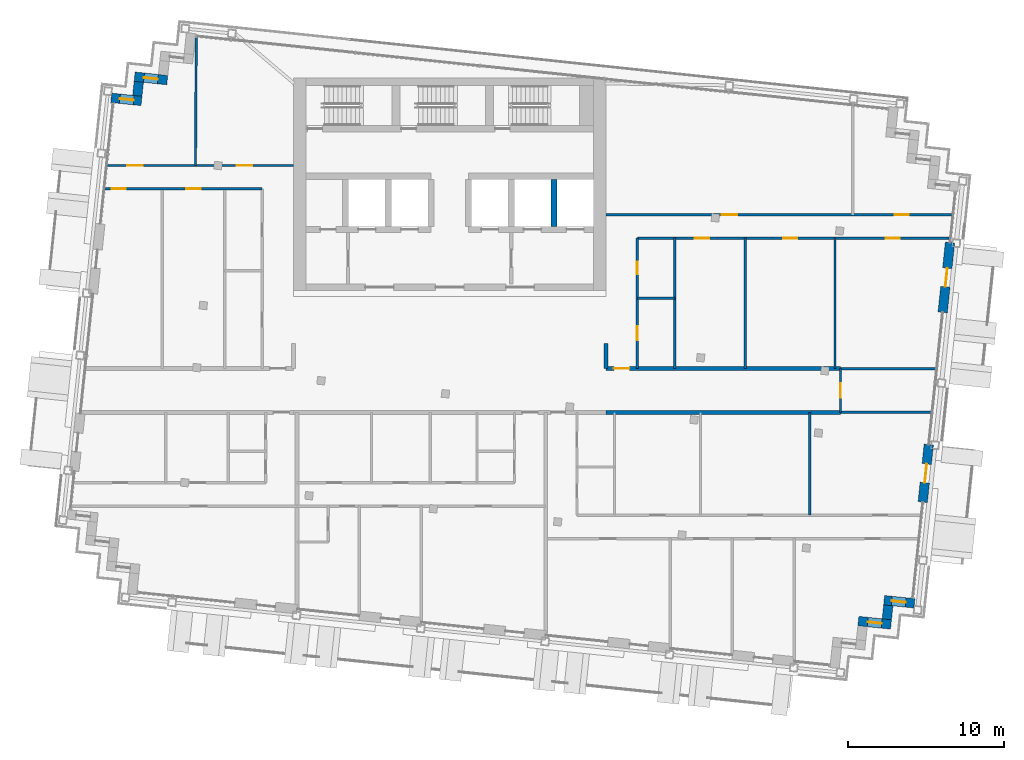
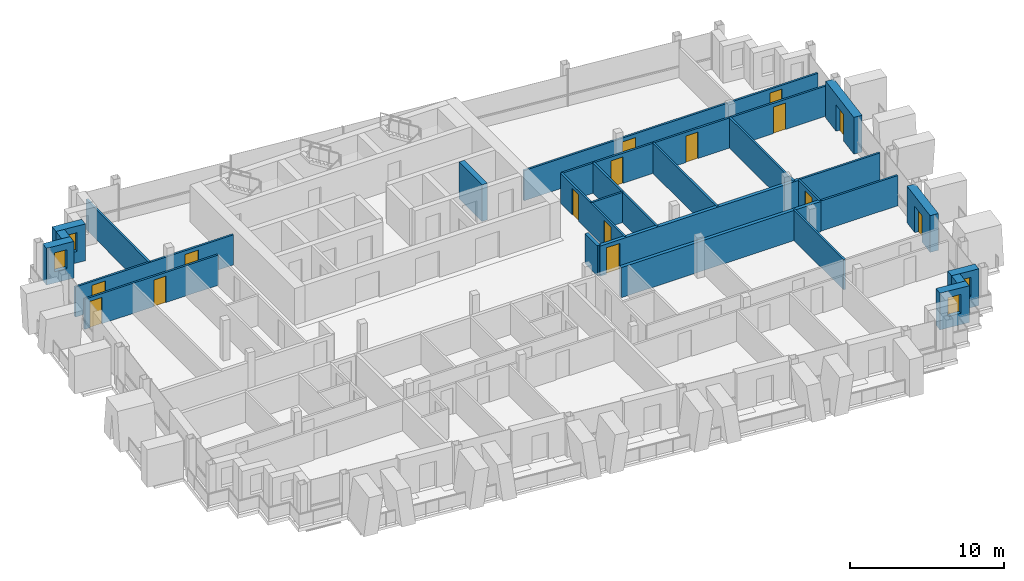
# One storey, part 11 of 16: 26 walls, 15 doors, 4 windows, 19 openings.
"""IFC4 building model written with IfcOpenShell, lengths in metres."""

from ifc_helpers import new_model, si_unit, direction, frame, frame_2d, origin, place, context, subcontext, project, spatial, rectangle, extrude, material, layer, layer_set, type_object, element, fill, save


model = new_model("IFC4")

# Units and contexts
model_context = context("Model", 3, precision=1e-05, world=origin(), true_north=direction((0.0, 1.0)))
body_context = subcontext(model_context, "Body", "Model", "MODEL_VIEW")
ifc_project = project(units=[si_unit("LENGTHUNIT", "METRE"), si_unit("AREAUNIT", "SQUARE_METRE"), si_unit("VOLUMEUNIT", "CUBIC_METRE"), si_unit("PLANEANGLEUNIT", "RADIAN"), si_unit("MASSUNIT", "GRAM", prefix="KILO")], contexts=[model_context])

# Site, building, storey
site_placement = place(None, origin())
site = spatial("IfcSite", under=ifc_project, at=site_placement, CompositionType="ELEMENT")
building_placement = place(site_placement, origin())
building = spatial("IfcBuilding", under=site, at=building_placement, Name="Vidyagriha Tower", CompositionType="ELEMENT")
storey_placement = place(building_placement, frame((0.0, 0.0, 275.5)))
storey = spatial("IfcBuildingStorey", under=building, at=storey_placement, Name="L72", CompositionType="ELEMENT", Elevation=275.5)

# Wall, opening, window
ifc_material_1 = material(Name="Precast concrete C40/50 with brick facing", Category="concrete")
ifc_layer_1 = layer(ifc_material_1, 0.60009765625)
ifc_layer_set_1 = layer_set([ifc_layer_1], Name="Precast concrete C40/50 with brick facing")
wall_type_1 = type_object("IfcWallType", Name="Brick-faced precast wall 600", PredefinedType="STANDARD", material=ifc_layer_set_1)
wall_1_placement = place(storey_placement, frame((-18.077392578125, 19.859130859375, 0.0), z_axis=(0.0, 0.0, 1.0), x_axis=(-0.994522640205, 0.104521376379, 0.0)))
wall_1 = element("IfcWall", 1, at=wall_1_placement, inside=storey, type_object=wall_type_1, Name="Stepped corner wall L72 R11", PredefinedType="STANDARD", context=body_context, shape_type="SweptSolid", body=[
    extrude(rectangle(XDim=2.099853515625, YDim=0.60009765625, at=frame_2d((1.0498046875, 0.0))), origin(), (0.0, 0.0, 1.0), 2.919921875),
])
opening_1_placement = place(wall_1_placement, frame((0.60009765625, 0.0, 0.89990234375)))
opening_1 = element("IfcOpeningElement", 2, at=opening_1_placement, cuts=wall_1, Name="Opening WN1", PredefinedType="OPENING", context=body_context, shape_type="SweptSolid", body=[
    extrude(rectangle(XDim=0.89990234375, YDim=1.5, at=frame_2d((0.449951171875, 0.75))), frame((0.0, 0.31005859375, 0.0), z_axis=(0.0, -1.0, 0.0), x_axis=(1.0, 0.0, 0.0)), (0.0, 0.0, 1.0), 0.6201171875),
])
ifc_material_2 = material(Name="Aluminium and glass window", Category="aluminium")
window_type = type_object("IfcWindowType", Name="Reveal window 900x1500", PartitioningType="NOTDEFINED", PredefinedType="WINDOW", material=ifc_material_2)
window_1_placement = place(opening_1_placement, origin())
window_1 = element("IfcWindow", 3, at=window_1_placement, inside=storey, type_object=window_type, Name="Reveal window L72 R11", OverallHeight=1.5, OverallWidth=0.89990234375, PartitioningType="SINGLE_PANEL", PredefinedType="WINDOW", context=body_context, shape_type="SweptSolid", body=[
    extrude(rectangle(XDim=0.89990234375, YDim=1.5, at=frame_2d((0.449951171875, 0.75))), frame((0.0, 0.030029296875, 0.0), z_axis=(0.0, -1.0, 0.0), x_axis=(1.0, 0.0, 0.0)), (0.0, 0.0, 1.0), 0.06005859375),
])
fill(opening_1, window_1)

# Wall
wall_2_placement = place(storey_placement, frame((-19.898681640625, 19.748779296875, 0.0), z_axis=(0.0, 0.0, 1.0), x_axis=(-0.104741284723, -0.994499503909, 0.0)))
element("IfcWall", 4, at=wall_2_placement, inside=storey, type_object=wall_type_1, Name="Stepped corner wall L72 R12", PredefinedType="STANDARD", context=body_context, shape_type="SweptSolid", body=[
    extrude(rectangle(XDim=0.899658203125, YDim=0.60009765625, at=frame_2d((0.44970703125, 0.0))), origin(), (0.0, 0.0, 1.0), 2.919921875),
])

# Wall, opening, window
wall_3_placement = place(storey_placement, frame((-19.725830078125, 18.5244140625, 0.0), z_axis=(0.0, 0.0, 1.0), x_axis=(-0.994534226826, 0.104411070641, 0.0)))
wall_3 = element("IfcWall", 5, at=wall_3_placement, inside=storey, type_object=wall_type_1, Name="Stepped corner wall L72 R13", PredefinedType="STANDARD", context=body_context, shape_type="SweptSolid", body=[
    extrude(rectangle(XDim=1.9501953125, YDim=0.60009765625, at=frame_2d((0.97509765625, 0.0))), origin(), (0.0, 0.0, 1.0), 2.919921875),
])
opening_2_placement = place(wall_3_placement, frame((0.489990234375, 0.0, 0.89990234375)))
opening_2 = element("IfcOpeningElement", 6, at=opening_2_placement, cuts=wall_3, Name="Opening WN1", PredefinedType="OPENING", context=body_context, shape_type="SweptSolid", body=[
    extrude(rectangle(XDim=0.89990234375, YDim=1.5, at=frame_2d((0.449951171875, 0.75))), frame((0.0, 0.31005859375, 0.0), z_axis=(0.0, -1.0, 0.0), x_axis=(1.0, 0.0, 0.0)), (0.0, 0.0, 1.0), 0.6201171875),
])
window_2_placement = place(opening_2_placement, origin())
window_2 = element("IfcWindow", 7, at=window_2_placement, inside=storey, type_object=window_type, Name="Reveal window L72 R13", OverallHeight=1.5, OverallWidth=0.89990234375, PartitioningType="SINGLE_PANEL", PredefinedType="WINDOW", context=body_context, shape_type="SweptSolid", body=[
    extrude(rectangle(XDim=0.89990234375, YDim=1.5, at=frame_2d((0.449951171875, 0.75))), frame((0.0, 0.030029296875, 0.0), z_axis=(0.0, -1.0, 0.0), x_axis=(1.0, 0.0, 0.0)), (0.0, 0.0, 1.0), 0.06005859375),
])
fill(opening_2, window_2)

wall_4_placement = place(storey_placement, frame((26.147216796875, -14.753173828125, 0.0), z_axis=(0.0, 0.0, 1.0), x_axis=(0.994522640205, -0.104521376379, 0.0)))
wall_4 = element("IfcWall", 8, at=wall_4_placement, inside=storey, type_object=wall_type_1, Name="Stepped corner wall L72 R25", PredefinedType="STANDARD", context=body_context, shape_type="SweptSolid", body=[
    extrude(rectangle(XDim=2.099853515625, YDim=0.60009765625, at=frame_2d((1.0498046875, 0.0))), origin(), (0.0, 0.0, 1.0), 2.919921875),
])
opening_3_placement = place(wall_4_placement, frame((0.599853515625, 0.0, 0.89990234375)))
opening_3 = element("IfcOpeningElement", 9, at=opening_3_placement, cuts=wall_4, Name="Opening WN1", PredefinedType="OPENING", context=body_context, shape_type="SweptSolid", body=[
    extrude(rectangle(XDim=0.89990234375, YDim=1.5, at=frame_2d((0.449951171875, 0.75))), frame((0.0, 0.31005859375, 0.0), z_axis=(0.0, -1.0, 0.0), x_axis=(1.0, 0.0, 0.0)), (0.0, 0.0, 1.0), 0.6201171875),
])
window_3_placement = place(opening_3_placement, origin())
window_3 = element("IfcWindow", 10, at=window_3_placement, inside=storey, type_object=window_type, Name="Reveal window L72 R25", OverallHeight=1.5, OverallWidth=0.89990234375, PartitioningType="SINGLE_PANEL", PredefinedType="WINDOW", context=body_context, shape_type="SweptSolid", body=[
    extrude(rectangle(XDim=0.89990234375, YDim=1.5, at=frame_2d((0.449951171875, 0.75))), frame((0.0, 0.030029296875, 0.0), z_axis=(0.0, -1.0, 0.0), x_axis=(1.0, 0.0, 0.0)), (0.0, 0.0, 1.0), 0.06005859375),
])
fill(opening_3, window_3)

# Wall
wall_5_placement = place(storey_placement, frame((27.968505859375, -14.64306640625, 0.0), z_axis=(0.0, 0.0, 1.0), x_axis=(0.104416541099, 0.994533652495, 0.0)))
element("IfcWall", 11, at=wall_5_placement, inside=storey, type_object=wall_type_1, Name="Stepped corner wall L72 R26", PredefinedType="STANDARD", context=body_context, shape_type="SweptSolid", body=[
    extrude(rectangle(XDim=0.900146484375, YDim=0.60009765625, at=frame_2d((0.4501953125, 0.0))), origin(), (0.0, 0.0, 1.0), 2.919921875),
])

# Wall, opening, window
wall_6_placement = place(storey_placement, frame((27.795654296875, -13.418212890625, 0.0), z_axis=(0.0, 0.0, 1.0), x_axis=(0.994519850893, -0.104547913319, 0.0)))
wall_6 = element("IfcWall", 12, at=wall_6_placement, inside=storey, type_object=wall_type_1, Name="Stepped corner wall L72 R27", PredefinedType="STANDARD", context=body_context, shape_type="SweptSolid", body=[
    extrude(rectangle(XDim=1.949951171875, YDim=0.60009765625, at=frame_2d((0.97509765625, 0.0))), origin(), (0.0, 0.0, 1.0), 2.919921875),
])
opening_4_placement = place(wall_6_placement, frame((0.489990234375, 0.0, 0.89990234375)))
opening_4 = element("IfcOpeningElement", 13, at=opening_4_placement, cuts=wall_6, Name="Opening WN1", PredefinedType="OPENING", context=body_context, shape_type="SweptSolid", body=[
    extrude(rectangle(XDim=0.89990234375, YDim=1.5, at=frame_2d((0.449951171875, 0.75))), frame((0.0, 0.31005859375, 0.0), z_axis=(0.0, -1.0, 0.0), x_axis=(1.0, 0.0, 0.0)), (0.0, 0.0, 1.0), 0.6201171875),
])
window_4_placement = place(opening_4_placement, origin())
window_4 = element("IfcWindow", 14, at=window_4_placement, inside=storey, type_object=window_type, Name="Reveal window L72 R27", OverallHeight=1.5, OverallWidth=0.89990234375, PartitioningType="SINGLE_PANEL", PredefinedType="WINDOW", context=body_context, shape_type="SweptSolid", body=[
    extrude(rectangle(XDim=0.89990234375, YDim=1.5, at=frame_2d((0.449951171875, 0.75))), frame((0.0, 0.030029296875, 0.0), z_axis=(0.0, -1.0, 0.0), x_axis=(1.0, 0.0, 0.0)), (0.0, 0.0, 1.0), 0.06005859375),
])
fill(opening_4, window_4)

# Wall, opening, door
wall_7_placement = place(storey_placement, frame((30.26513671875, -7.14208984375, 0.0), z_axis=(0.0, 0.0, 1.0), x_axis=(0.104513052986, 0.994523514933, 0.0)))
wall_7 = element("IfcWall", 15, at=wall_7_placement, inside=storey, type_object=wall_type_1, Name="Brick door bay wall L72 R28.3", PredefinedType="STANDARD", context=body_context, shape_type="SweptSolid", body=[
    extrude(rectangle(XDim=3.7001953125, YDim=0.60009765625, at=frame_2d((1.85009765625, 0.0))), origin(), (0.0, 0.0, 1.0), 2.919921875),
])
opening_5_placement = place(wall_7_placement, frame((1.25, 0.0, 0.0)))
opening_5 = element("IfcOpeningElement", 16, at=opening_5_placement, cuts=wall_7, Name="Opening D72-59", PredefinedType="OPENING", context=body_context, shape_type="SweptSolid", body=[
    extrude(rectangle(XDim=1.199951171875, YDim=2.10009765625, at=frame_2d((0.60009765625, 1.050048828125))), frame((0.0, 0.31005859375, 0.0), z_axis=(0.0, -1.0, 0.0), x_axis=(1.0, 0.0, 0.0)), (0.0, 0.0, 1.0), 0.6201171875),
])
ifc_material_3 = material(Name="Aluminium framed glazed sliding door", Category="aluminium")
door_type_1 = type_object("IfcDoorType", Name="Balcony sliding door 1200x2100", OperationType="NOTDEFINED", PredefinedType="DOOR", material=ifc_material_3)
door_1_placement = place(opening_5_placement, origin())
door_1 = element("IfcDoor", 17, at=door_1_placement, inside=storey, type_object=door_type_1, Name="Door D72-59", OperationType="SLIDING_TO_LEFT", OverallHeight=2.10009765625, OverallWidth=1.199951171875, PredefinedType="DOOR", context=body_context, shape_type="SweptSolid", body=[
    extrude(rectangle(XDim=1.199951171875, YDim=2.10009765625, at=frame_2d((0.60009765625, 1.050048828125))), frame((0.0, 0.02490234375, 0.0), z_axis=(0.0, -1.0, 0.0), x_axis=(1.0, 0.0, 0.0)), (0.0, 0.0, 1.0), 0.050048828125),
])
fill(opening_5, door_1)

wall_8_placement = place(storey_placement, frame((31.540283203125, 4.9912109375, 0.0), z_axis=(0.0, 0.0, 1.0), x_axis=(0.104546400045, 0.994520009974, 0.0)))
wall_8 = element("IfcWall", 18, at=wall_8_placement, inside=storey, type_object=wall_type_1, Name="Brick door bay wall L72 R28.6", PredefinedType="STANDARD", context=body_context, shape_type="SweptSolid", body=[
    extrude(rectangle(XDim=4.5, YDim=0.60009765625, at=frame_2d((2.25, 0.0))), origin(), (0.0, 0.0, 1.0), 2.919921875),
])
opening_6_placement = place(wall_8_placement, frame((1.64990234375, 0.0, 0.0)))
opening_6 = element("IfcOpeningElement", 19, at=opening_6_placement, cuts=wall_8, Name="Opening D72-60", PredefinedType="OPENING", context=body_context, shape_type="SweptSolid", body=[
    extrude(rectangle(XDim=1.199951171875, YDim=2.10009765625, at=frame_2d((0.60009765625, 1.050048828125))), frame((0.0, 0.31005859375, 0.0), z_axis=(0.0, -1.0, 0.0), x_axis=(1.0, 0.0, 0.0)), (0.0, 0.0, 1.0), 0.6201171875),
])
door_2_placement = place(opening_6_placement, origin())
door_2 = element("IfcDoor", 20, at=door_2_placement, inside=storey, type_object=door_type_1, Name="Door D72-60", OperationType="SLIDING_TO_LEFT", OverallHeight=2.10009765625, OverallWidth=1.199951171875, PredefinedType="DOOR", context=body_context, shape_type="SweptSolid", body=[
    extrude(rectangle(XDim=1.199951171875, YDim=2.10009765625, at=frame_2d((0.60009765625, 1.050048828125))), frame((0.0, 0.02490234375, 0.0), z_axis=(0.0, -1.0, 0.0), x_axis=(1.0, 0.0, 0.0)), (0.0, 0.0, 1.0), 0.050048828125),
])
fill(opening_6, door_2)

# Walls
ifc_material_4 = material(Name="Concrete C60/75", Category="concrete")
ifc_layer_2 = layer(ifc_material_4, 0.39990234375)
ifc_layer_set_2 = layer_set([ifc_layer_2], Name="Concrete C60/75")
wall_type_2 = type_object("IfcWallType", Name="Core shear wall 400 mm", PredefinedType="SHEAR", material=ifc_layer_set_2)
wall_9_placement = place(storey_placement, frame((6.666748046875, 10.5, 0.0), z_axis=(0.0, 0.0, 1.0), x_axis=(0.0, 1.0, 0.0)))
element("IfcWall", 21, at=wall_9_placement, inside=storey, type_object=wall_type_2, Name="Core bay wall N6", PredefinedType="SHEAR", context=body_context, shape_type="SweptSolid", body=[
    extrude(rectangle(XDim=3.0, YDim=0.39990234375, at=frame_2d((1.5, 0.0))), origin(), (0.0, 0.0, 1.0), 2.919921875),
])
ifc_material_5 = material(Name="Fired clay brick masonry", Category="masonry")
ifc_layer_3 = layer(ifc_material_5, 0.25)
ifc_layer_set_3 = layer_set([ifc_layer_3], Name="Fired clay brick masonry")
wall_type_3 = type_object("IfcWallType", Name="Fired clay brick corridor wall 250", PredefinedType="PARTITIONING", material=ifc_layer_set_3)
wall_10_placement = place(storey_placement, frame((25.0, -1.39990234375, 0.0), z_axis=(0.0, 0.0, 1.0), x_axis=(-1.0, 0.0, 0.0)))
element("IfcWall", 22, at=wall_10_placement, inside=storey, type_object=wall_type_3, Name="Wall all-L72-w057", PredefinedType="PARTITIONING", context=body_context, shape_type="SweptSolid", body=[
    extrude(rectangle(XDim=15.0, YDim=0.25, at=frame_2d((7.5, 0.0))), origin(), (0.0, 0.0, 1.0), 2.39990234375),
])

# Wall, opening, door
wall_11_placement = place(storey_placement, frame((10.0, 1.39990234375, 0.0)))
wall_11 = element("IfcWall", 23, at=wall_11_placement, inside=storey, type_object=wall_type_3, Name="Wall all-L72-w090", PredefinedType="PARTITIONING", context=body_context, shape_type="SweptSolid", body=[
    extrude(rectangle(XDim=15.0, YDim=0.25, at=frame_2d((7.5, 0.0))), origin(), (0.0, 0.0, 1.0), 2.39990234375),
])
opening_7_placement = place(wall_11_placement, frame((0.5, 0.0, 0.0)))
opening_7 = element("IfcOpeningElement", 24, at=opening_7_placement, cuts=wall_11, Name="Opening D72-50", PredefinedType="OPENING", context=body_context, shape_type="SweptSolid", body=[
    extrude(rectangle(XDim=1.0, YDim=2.10009765625, at=frame_2d((0.5, 1.050048828125))), frame((0.0, 0.135009765625, 0.0), z_axis=(0.0, -1.0, 0.0), x_axis=(1.0, 0.0, 0.0)), (0.0, 0.0, 1.0), 0.27001953125),
])
ifc_material_6 = material(Name="Fire-rated timber door leaf EI 60", Category="wood")
door_type_2 = type_object("IfcDoorType", Name="Flat entrance fire door 1000x2100", OperationType="NOTDEFINED", PredefinedType="DOOR", material=ifc_material_6)
door_3_placement = place(opening_7_placement, origin())
door_3 = element("IfcDoor", 25, at=door_3_placement, inside=storey, type_object=door_type_2, Name="Door D72-50", OperationType="SINGLE_SWING_LEFT", OverallHeight=2.10009765625, OverallWidth=1.0, PredefinedType="DOOR", context=body_context, shape_type="SweptSolid", body=[
    extrude(rectangle(XDim=1.0, YDim=2.10009765625, at=frame_2d((0.5, 1.050048828125))), frame((0.0, 0.02490234375, 0.0), z_axis=(0.0, -1.0, 0.0), x_axis=(1.0, 0.0, 0.0)), (0.0, 0.0, 1.0), 0.050048828125),
])
fill(opening_7, door_3)

# Walls
wall_12_placement = place(storey_placement, frame((10.0, 1.39990234375, 0.0), z_axis=(0.0, 0.0, 1.0), x_axis=(0.0, 1.0, 0.0)))
element("IfcWall", 26, at=wall_12_placement, inside=storey, type_object=wall_type_3, Name="Wall all-L72-w096", PredefinedType="PARTITIONING", context=body_context, shape_type="SweptSolid", body=[
    extrude(rectangle(XDim=1.60009765625, YDim=0.25, at=frame_2d((0.800048828125, 0.0))), origin(), (0.0, 0.0, 1.0), 2.39990234375),
])
ifc_material_7 = material(Name="Gypsum board partition")
ifc_layer_4 = layer(ifc_material_7, 0.14990234375)
ifc_layer_set_4 = layer_set([ifc_layer_4], Name="Gypsum board partition")
wall_type_4 = type_object("IfcWallType", Name="Gypsum board partition 150", PredefinedType="PARTITIONING", material=ifc_layer_set_4)
wall_13_placement = place(storey_placement, frame((23.0419921875, -1.39990234375, 0.0), z_axis=(0.0, 0.0, 1.0), x_axis=(0.0, -1.0, 0.0)))
element("IfcWall", 27, at=wall_13_placement, inside=storey, type_object=wall_type_4, Name="Wall all-L72-w041", PredefinedType="PARTITIONING", context=body_context, shape_type="SweptSolid", body=[
    extrude(rectangle(XDim=6.581787109375, YDim=0.14990234375, at=frame_2d((3.291015625, 0.0))), origin(), (0.0, 0.0, 1.0), 2.39990234375),
])
wall_14_placement = place(storey_placement, frame((30.79833984375, -1.39990234375, 0.0), z_axis=(0.0, 0.0, 1.0), x_axis=(-1.0, 0.0, 0.0)))
element("IfcWall", 28, at=wall_14_placement, inside=storey, type_object=wall_type_4, Name="Wall all-L72-w058", PredefinedType="PARTITIONING", context=body_context, shape_type="SweptSolid", body=[
    extrude(rectangle(XDim=5.79833984375, YDim=0.14990234375, at=frame_2d((2.899169921875, 0.0))), origin(), (0.0, 0.0, 1.0), 2.39990234375),
])

# Wall, openings, doors
wall_15_placement = place(storey_placement, frame((-12.0, 12.89990234375, 0.0), z_axis=(0.0, 0.0, 1.0), x_axis=(-1.0, 0.0, 0.0)))
wall_15 = element("IfcWall", 29, at=wall_15_placement, inside=storey, type_object=wall_type_4, Name="Wall all-L72-w065", PredefinedType="PARTITIONING", context=body_context, shape_type="SweptSolid", body=[
    extrude(rectangle(XDim=10.04736328125, YDim=0.14990234375, at=frame_2d((5.023681640625, 0.0))), origin(), (0.0, 0.0, 1.0), 2.39990234375),
])
opening_8_placement = place(wall_15_placement, frame((3.949951171875, 0.0, 0.0)))
opening_8 = element("IfcOpeningElement", 30, at=opening_8_placement, cuts=wall_15, Name="Opening D72-38", PredefinedType="OPENING", context=body_context, shape_type="SweptSolid", body=[
    extrude(rectangle(XDim=0.89990234375, YDim=2.10009765625, at=frame_2d((0.449951171875, 1.050048828125))), frame((0.0, 0.0849609375, 0.0), z_axis=(0.0, -1.0, 0.0), x_axis=(1.0, 0.0, 0.0)), (0.0, 0.0, 1.0), 0.169921875),
])
opening_9_placement = place(wall_15_placement, frame((8.743896484375, 0.0, 0.0)))
opening_9 = element("IfcOpeningElement", 31, at=opening_9_placement, cuts=wall_15, Name="Opening D72-39", PredefinedType="OPENING", context=body_context, shape_type="SweptSolid", body=[
    extrude(rectangle(XDim=0.89990234375, YDim=2.10009765625, at=frame_2d((0.449951171875, 1.050048828125))), frame((0.0, 0.0849609375, 0.0), z_axis=(0.0, -1.0, 0.0), x_axis=(1.0, 0.0, 0.0)), (0.0, 0.0, 1.0), 0.169921875),
])
ifc_material_8 = material(Name="Timber door leaf", Category="wood")
door_type_3 = type_object("IfcDoorType", Name="Room door 900x2100", OperationType="NOTDEFINED", PredefinedType="DOOR", material=ifc_material_8)
door_4_placement = place(opening_8_placement, origin())
door_4 = element("IfcDoor", 32, at=door_4_placement, inside=storey, type_object=door_type_3, Name="Door D72-38", OperationType="SINGLE_SWING_LEFT", OverallHeight=2.10009765625, OverallWidth=0.89990234375, PredefinedType="DOOR", context=body_context, shape_type="SweptSolid", body=[
    extrude(rectangle(XDim=0.89990234375, YDim=2.10009765625, at=frame_2d((0.449951171875, 1.050048828125))), frame((0.0, 0.02490234375, 0.0), z_axis=(0.0, -1.0, 0.0), x_axis=(1.0, 0.0, 0.0)), (0.0, 0.0, 1.0), 0.050048828125),
])
fill(opening_8, door_4)
door_5_placement = place(opening_9_placement, origin())
door_5 = element("IfcDoor", 33, at=door_5_placement, inside=storey, type_object=door_type_3, Name="Door D72-39", OperationType="SINGLE_SWING_RIGHT", OverallHeight=2.10009765625, OverallWidth=0.89990234375, PredefinedType="DOOR", context=body_context, shape_type="SweptSolid", body=[
    extrude(rectangle(XDim=0.89990234375, YDim=2.10009765625, at=frame_2d((0.449951171875, 1.050048828125))), frame((0.0, 0.02490234375, 0.0), z_axis=(0.0, -1.0, 0.0), x_axis=(1.0, 0.0, 0.0)), (0.0, 0.0, 1.0), 0.050048828125),
])
fill(opening_9, door_5)

wall_16_placement = place(storey_placement, frame((-21.889892578125, 14.39990234375, 0.0)))
wall_16 = element("IfcWall", 34, at=wall_16_placement, inside=storey, type_object=wall_type_4, Name="Wall all-L72-w068", PredefinedType="PARTITIONING", context=body_context, shape_type="SweptSolid", body=[
    extrude(rectangle(XDim=11.889892578125, YDim=0.14990234375, at=frame_2d((5.94482421875, 0.0))), origin(), (0.0, 0.0, 1.0), 2.39990234375),
])
opening_10_placement = place(wall_16_placement, frame((1.259765625, 0.0, 0.0)))
opening_10 = element("IfcOpeningElement", 35, at=opening_10_placement, cuts=wall_16, Name="Opening D72-40", PredefinedType="OPENING", context=body_context, shape_type="SweptSolid", body=[
    extrude(rectangle(XDim=1.0, YDim=2.10009765625, at=frame_2d((0.5, 1.050048828125))), frame((0.0, 0.0849609375, 0.0), z_axis=(0.0, -1.0, 0.0), x_axis=(1.0, 0.0, 0.0)), (0.0, 0.0, 1.0), 0.169921875),
])
opening_11_placement = place(wall_16_placement, frame((8.25390625, 0.0, 0.0)))
opening_11 = element("IfcOpeningElement", 36, at=opening_11_placement, cuts=wall_16, Name="Opening D72-41", PredefinedType="OPENING", context=body_context, shape_type="SweptSolid", body=[
    extrude(rectangle(XDim=1.0, YDim=2.10009765625, at=frame_2d((0.5, 1.050048828125))), frame((0.0, 0.0849609375, 0.0), z_axis=(0.0, -1.0, 0.0), x_axis=(1.0, 0.0, 0.0)), (0.0, 0.0, 1.0), 0.169921875),
])
ifc_material_9 = material(Name="Timber door leaf", Category="wood")
door_type_4 = type_object("IfcDoorType", Name="Room door 1000x2100", OperationType="NOTDEFINED", PredefinedType="DOOR", material=ifc_material_9)
door_6_placement = place(opening_10_placement, origin())
door_6 = element("IfcDoor", 37, at=door_6_placement, inside=storey, type_object=door_type_4, Name="Door D72-40", OperationType="SINGLE_SWING_LEFT", OverallHeight=2.10009765625, OverallWidth=1.0, PredefinedType="DOOR", context=body_context, shape_type="SweptSolid", body=[
    extrude(rectangle(XDim=1.0, YDim=2.10009765625, at=frame_2d((0.5, 1.050048828125))), frame((0.0, 0.02490234375, 0.0), z_axis=(0.0, -1.0, 0.0), x_axis=(1.0, 0.0, 0.0)), (0.0, 0.0, 1.0), 0.050048828125),
])
fill(opening_10, door_6)
door_7_placement = place(opening_11_placement, origin())
door_7 = element("IfcDoor", 38, at=door_7_placement, inside=storey, type_object=door_type_4, Name="Door D72-41", OperationType="SINGLE_SWING_RIGHT", OverallHeight=2.10009765625, OverallWidth=1.0, PredefinedType="DOOR", context=body_context, shape_type="SweptSolid", body=[
    extrude(rectangle(XDim=1.0, YDim=2.10009765625, at=frame_2d((0.5, 1.050048828125))), frame((0.0, 0.02490234375, 0.0), z_axis=(0.0, -1.0, 0.0), x_axis=(1.0, 0.0, 0.0)), (0.0, 0.0, 1.0), 0.050048828125),
])
fill(opening_11, door_7)

# Walls
wall_17_placement = place(storey_placement, frame((-16.221923828125, 22.6103515625, 0.0), z_axis=(0.0, 0.0, 1.0), x_axis=(-0.006095634594, -0.999981421447, 0.0)))
element("IfcWall", 39, at=wall_17_placement, inside=storey, type_object=wall_type_4, Name="Wall all-L72-w071", PredefinedType="PARTITIONING", context=body_context, shape_type="SweptSolid", body=[
    extrude(rectangle(XDim=8.210693359375, YDim=0.14990234375, at=frame_2d((4.10546875, 0.0))), origin(), (0.0, 0.0, 1.0), 2.39990234375),
])
wall_18_placement = place(storey_placement, frame((12.0, 5.89990234375, 0.0)))
element("IfcWall", 40, at=wall_18_placement, inside=storey, type_object=wall_type_4, Name="Wall all-L72-w077", PredefinedType="PARTITIONING", context=body_context, shape_type="SweptSolid", body=[
    extrude(rectangle(XDim=2.39990234375, YDim=0.14990234375, at=frame_2d((1.199951171875, 0.0))), origin(), (0.0, 0.0, 1.0), 2.39990234375),
])
for number, where, z_axis, x_axis, name in (
    (41, (14.39990234375, 9.743408203125, 0.0), (0.0, 0.0, 1.0), (0.0, -1.0, 0.0), "Wall all-L72-w078"),
    (42, (18.89990234375, 9.743408203125, 0.0), (0.0, 0.0, 1.0), (0.0, -1.0, 0.0), "Wall all-L72-w079"),
    (43, (24.64990234375, 9.743408203125, 0.0), (0.0, 0.0, 1.0), (0.0, -1.0, 0.0), "Wall all-L72-w080"),
):
    element("IfcWall", number, at=place(storey_placement, frame(where, z_axis=z_axis, x_axis=x_axis)), inside=storey, type_object=wall_type_4, Name=name, PredefinedType="PARTITIONING", context=body_context, shape_type="SweptSolid", body=[
        extrude(rectangle(XDim=8.343505859375, YDim=0.14990234375, at=frame_2d((4.171875, 0.0))), origin(), (0.0, 0.0, 1.0), 2.39990234375),
    ])

# Wall, openings, doors
wall_19_placement = place(storey_placement, frame((31.96044921875, 9.743408203125, 0.0), z_axis=(0.0, 0.0, 1.0), x_axis=(-1.0, 0.0, 0.0)))
wall_19 = element("IfcWall", 44, at=wall_19_placement, inside=storey, type_object=wall_type_4, Name="Wall all-L72-w081", PredefinedType="PARTITIONING", context=body_context, shape_type="SweptSolid", body=[
    extrude(rectangle(XDim=19.96044921875, YDim=0.14990234375, at=frame_2d((9.980224609375, 0.0))), origin(), (0.0, 0.0, 1.0), 2.39990234375),
])
opening_12_placement = place(wall_19_placement, frame((15.371826171875, 0.0, 0.0)))
opening_12 = element("IfcOpeningElement", 45, at=opening_12_placement, cuts=wall_19, Name="Opening D72-45", PredefinedType="OPENING", context=body_context, shape_type="SweptSolid", body=[
    extrude(rectangle(XDim=0.89990234375, YDim=2.10009765625, at=frame_2d((0.449951171875, 1.050048828125))), frame((0.0, 0.0849609375, 0.0), z_axis=(0.0, -1.0, 0.0), x_axis=(1.0, 0.0, 0.0)), (0.0, 0.0, 1.0), 0.169921875),
])
opening_13_placement = place(wall_19_placement, frame((9.7353515625, 0.0, 0.0)))
opening_13 = element("IfcOpeningElement", 46, at=opening_13_placement, cuts=wall_19, Name="Opening D72-46", PredefinedType="OPENING", context=body_context, shape_type="SweptSolid", body=[
    extrude(rectangle(XDim=0.89990234375, YDim=2.10009765625, at=frame_2d((0.449951171875, 1.050048828125))), frame((0.0, 0.0849609375, 0.0), z_axis=(0.0, -1.0, 0.0), x_axis=(1.0, 0.0, 0.0)), (0.0, 0.0, 1.0), 0.169921875),
])
opening_14_placement = place(wall_19_placement, frame((3.156982421875, 0.0, 0.0)))
opening_14 = element("IfcOpeningElement", 47, at=opening_14_placement, cuts=wall_19, Name="Opening D72-47", PredefinedType="OPENING", context=body_context, shape_type="SweptSolid", body=[
    extrude(rectangle(XDim=0.89990234375, YDim=2.10009765625, at=frame_2d((0.449951171875, 1.050048828125))), frame((0.0, 0.0849609375, 0.0), z_axis=(0.0, -1.0, 0.0), x_axis=(1.0, 0.0, 0.0)), (0.0, 0.0, 1.0), 0.169921875),
])
door_8_placement = place(opening_12_placement, origin())
door_8 = element("IfcDoor", 48, at=door_8_placement, inside=storey, type_object=door_type_3, Name="Door D72-45", OperationType="SINGLE_SWING_RIGHT", OverallHeight=2.10009765625, OverallWidth=0.89990234375, PredefinedType="DOOR", context=body_context, shape_type="SweptSolid", body=[
    extrude(rectangle(XDim=0.89990234375, YDim=2.10009765625, at=frame_2d((0.449951171875, 1.050048828125))), frame((0.0, 0.02490234375, 0.0), z_axis=(0.0, -1.0, 0.0), x_axis=(1.0, 0.0, 0.0)), (0.0, 0.0, 1.0), 0.050048828125),
])
fill(opening_12, door_8)
door_9_placement = place(opening_13_placement, origin())
door_9 = element("IfcDoor", 49, at=door_9_placement, inside=storey, type_object=door_type_3, Name="Door D72-46", OperationType="SINGLE_SWING_RIGHT", OverallHeight=2.10009765625, OverallWidth=0.89990234375, PredefinedType="DOOR", context=body_context, shape_type="SweptSolid", body=[
    extrude(rectangle(XDim=0.89990234375, YDim=2.10009765625, at=frame_2d((0.449951171875, 1.050048828125))), frame((0.0, 0.02490234375, 0.0), z_axis=(0.0, -1.0, 0.0), x_axis=(1.0, 0.0, 0.0)), (0.0, 0.0, 1.0), 0.050048828125),
])
fill(opening_13, door_9)
door_10_placement = place(opening_14_placement, origin())
door_10 = element("IfcDoor", 50, at=door_10_placement, inside=storey, type_object=door_type_3, Name="Door D72-47", OperationType="SINGLE_SWING_LEFT", OverallHeight=2.10009765625, OverallWidth=0.89990234375, PredefinedType="DOOR", context=body_context, shape_type="SweptSolid", body=[
    extrude(rectangle(XDim=0.89990234375, YDim=2.10009765625, at=frame_2d((0.449951171875, 1.050048828125))), frame((0.0, 0.02490234375, 0.0), z_axis=(0.0, -1.0, 0.0), x_axis=(1.0, 0.0, 0.0)), (0.0, 0.0, 1.0), 0.050048828125),
])
fill(opening_14, door_10)

wall_20_placement = place(storey_placement, frame((10.0, 11.243408203125, 0.0)))
wall_20 = element("IfcWall", 51, at=wall_20_placement, inside=storey, type_object=wall_type_4, Name="Wall all-L72-w085", PredefinedType="PARTITIONING", context=body_context, shape_type="SweptSolid", body=[
    extrude(rectangle(XDim=22.1181640625, YDim=0.14990234375, at=frame_2d((11.05908203125, 0.0))), origin(), (0.0, 0.0, 1.0), 2.39990234375),
])
opening_15_placement = place(wall_20_placement, frame((7.3984375, 0.0, 0.0)))
opening_15 = element("IfcOpeningElement", 52, at=opening_15_placement, cuts=wall_20, Name="Opening D72-48", PredefinedType="OPENING", context=body_context, shape_type="SweptSolid", body=[
    extrude(rectangle(XDim=1.0, YDim=2.10009765625, at=frame_2d((0.5, 1.050048828125))), frame((0.0, 0.0849609375, 0.0), z_axis=(0.0, -1.0, 0.0), x_axis=(1.0, 0.0, 0.0)), (0.0, 0.0, 1.0), 0.169921875),
])
opening_16_placement = place(wall_20_placement, frame((18.476806640625, 0.0, 0.0)))
opening_16 = element("IfcOpeningElement", 53, at=opening_16_placement, cuts=wall_20, Name="Opening D72-49", PredefinedType="OPENING", context=body_context, shape_type="SweptSolid", body=[
    extrude(rectangle(XDim=0.89990234375, YDim=2.10009765625, at=frame_2d((0.449951171875, 1.050048828125))), frame((0.0, 0.0849609375, 0.0), z_axis=(0.0, -1.0, 0.0), x_axis=(1.0, 0.0, 0.0)), (0.0, 0.0, 1.0), 0.169921875),
])
door_11_placement = place(opening_15_placement, origin())
door_11 = element("IfcDoor", 54, at=door_11_placement, inside=storey, type_object=door_type_4, Name="Door D72-48", OperationType="SINGLE_SWING_RIGHT", OverallHeight=2.10009765625, OverallWidth=1.0, PredefinedType="DOOR", context=body_context, shape_type="SweptSolid", body=[
    extrude(rectangle(XDim=1.0, YDim=2.10009765625, at=frame_2d((0.5, 1.050048828125))), frame((0.0, 0.02490234375, 0.0), z_axis=(0.0, -1.0, 0.0), x_axis=(1.0, 0.0, 0.0)), (0.0, 0.0, 1.0), 0.050048828125),
])
fill(opening_15, door_11)
door_12_placement = place(opening_16_placement, origin())
door_12 = element("IfcDoor", 55, at=door_12_placement, inside=storey, type_object=door_type_3, Name="Door D72-49", OperationType="SINGLE_SWING_RIGHT", OverallHeight=2.10009765625, OverallWidth=0.89990234375, PredefinedType="DOOR", context=body_context, shape_type="SweptSolid", body=[
    extrude(rectangle(XDim=0.89990234375, YDim=2.10009765625, at=frame_2d((0.449951171875, 1.050048828125))), frame((0.0, 0.02490234375, 0.0), z_axis=(0.0, -1.0, 0.0), x_axis=(1.0, 0.0, 0.0)), (0.0, 0.0, 1.0), 0.050048828125),
])
fill(opening_16, door_12)

# Wall
wall_21_placement = place(storey_placement, frame((25.0, 1.39990234375, 0.0)))
element("IfcWall", 56, at=wall_21_placement, inside=storey, type_object=wall_type_4, Name="Wall all-L72-w091", PredefinedType="PARTITIONING", context=body_context, shape_type="SweptSolid", body=[
    extrude(rectangle(XDim=6.092529296875, YDim=0.14990234375, at=frame_2d((3.04638671875, 0.0))), origin(), (0.0, 0.0, 1.0), 2.39990234375),
])

# Wall, opening, door
wall_22_placement = place(storey_placement, frame((25.0, -1.39990234375, 0.0), z_axis=(0.0, 0.0, 1.0), x_axis=(0.0, 1.0, 0.0)))
wall_22 = element("IfcWall", 57, at=wall_22_placement, inside=storey, type_object=wall_type_4, Name="Wall all-L72-w092", PredefinedType="PARTITIONING", context=body_context, shape_type="SweptSolid", body=[
    extrude(rectangle(XDim=2.7998046875, YDim=0.14990234375, at=frame_2d((1.39990234375, 0.0))), origin(), (0.0, 0.0, 1.0), 2.39990234375),
])
opening_17_placement = place(wall_22_placement, frame((0.949951171875, 0.0, 0.0)))
opening_17 = element("IfcOpeningElement", 58, at=opening_17_placement, cuts=wall_22, Name="Opening D72-51", PredefinedType="OPENING", context=body_context, shape_type="SweptSolid", body=[
    extrude(rectangle(XDim=0.89990234375, YDim=2.10009765625, at=frame_2d((0.449951171875, 1.050048828125))), frame((0.0, 0.0849609375, 0.0), z_axis=(0.0, -1.0, 0.0), x_axis=(1.0, 0.0, 0.0)), (0.0, 0.0, 1.0), 0.169921875),
])
door_13_placement = place(opening_17_placement, origin())
door_13 = element("IfcDoor", 59, at=door_13_placement, inside=storey, type_object=door_type_3, Name="Door D72-51", OperationType="SINGLE_SWING_RIGHT", OverallHeight=2.10009765625, OverallWidth=0.89990234375, PredefinedType="DOOR", context=body_context, shape_type="SweptSolid", body=[
    extrude(rectangle(XDim=0.89990234375, YDim=2.10009765625, at=frame_2d((0.449951171875, 1.050048828125))), frame((0.0, 0.02490234375, 0.0), z_axis=(0.0, -1.0, 0.0), x_axis=(1.0, 0.0, 0.0)), (0.0, 0.0, 1.0), 0.050048828125),
])
fill(opening_17, door_13)

# Wall, openings, doors
ifc_material_10 = material(Name="Moisture resistant gypsum board partition")
ifc_layer_5 = layer(ifc_material_10, 0.14990234375)
ifc_layer_set_5 = layer_set([ifc_layer_5], Name="Moisture resistant gypsum board partition")
wall_type_5 = type_object("IfcWallType", Name="Gypsum board wet-area partition 150", PredefinedType="PARTITIONING", material=ifc_layer_set_5)
wall_23_placement = place(storey_placement, frame((12.0, 9.743408203125, 0.0), z_axis=(0.0, 0.0, 1.0), x_axis=(0.0, -1.0, 0.0)))
wall_23 = element("IfcWall", 60, at=wall_23_placement, inside=storey, type_object=wall_type_5, Name="Wall all-L72-w074", PredefinedType="PARTITIONING", context=body_context, shape_type="SweptSolid", body=[
    extrude(rectangle(XDim=8.343505859375, YDim=0.14990234375, at=frame_2d((4.171875, 0.0))), origin(), (0.0, 0.0, 1.0), 2.39990234375),
])
opening_18_placement = place(wall_23_placement, frame((5.643310546875, 0.0, 0.0)))
opening_18 = element("IfcOpeningElement", 61, at=opening_18_placement, cuts=wall_23, Name="Opening D72-43", PredefinedType="OPENING", context=body_context, shape_type="SweptSolid", body=[
    extrude(rectangle(XDim=0.89990234375, YDim=2.10009765625, at=frame_2d((0.449951171875, 1.050048828125))), frame((0.0, 0.0849609375, 0.0), z_axis=(0.0, -1.0, 0.0), x_axis=(1.0, 0.0, 0.0)), (0.0, 0.0, 1.0), 0.169921875),
])
opening_19_placement = place(wall_23_placement, frame((1.521728515625, 0.0, 0.0)))
opening_19 = element("IfcOpeningElement", 62, at=opening_19_placement, cuts=wall_23, Name="Opening D72-44", PredefinedType="OPENING", context=body_context, shape_type="SweptSolid", body=[
    extrude(rectangle(XDim=0.800048828125, YDim=2.10009765625, at=frame_2d((0.39990234375, 1.050048828125))), frame((0.0, 0.0849609375, 0.0), z_axis=(0.0, -1.0, 0.0), x_axis=(1.0, 0.0, 0.0)), (0.0, 0.0, 1.0), 0.169921875),
])
ifc_material_11 = material(Name="Timber door leaf", Category="wood")
door_type_5 = type_object("IfcDoorType", Name="Bathroom door 800x2100", OperationType="NOTDEFINED", PredefinedType="DOOR", material=ifc_material_11)
door_14_placement = place(opening_19_placement, origin())
door_14 = element("IfcDoor", 63, at=door_14_placement, inside=storey, type_object=door_type_5, Name="Door D72-44", OperationType="SINGLE_SWING_RIGHT", OverallHeight=2.10009765625, OverallWidth=0.800048828125, PredefinedType="DOOR", context=body_context, shape_type="SweptSolid", body=[
    extrude(rectangle(XDim=0.800048828125, YDim=2.10009765625, at=frame_2d((0.39990234375, 1.050048828125))), frame((0.0, 0.02490234375, 0.0), z_axis=(0.0, -1.0, 0.0), x_axis=(1.0, 0.0, 0.0)), (0.0, 0.0, 1.0), 0.050048828125),
])
fill(opening_19, door_14)
ifc_material_12 = material(Name="Timber door leaf", Category="wood")
door_type_6 = type_object("IfcDoorType", Name="Kitchen door 900x2100", OperationType="NOTDEFINED", PredefinedType="DOOR", material=ifc_material_12)
door_15_placement = place(opening_18_placement, origin())
door_15 = element("IfcDoor", 64, at=door_15_placement, inside=storey, type_object=door_type_6, Name="Door D72-43", OperationType="SINGLE_SWING_LEFT", OverallHeight=2.10009765625, OverallWidth=0.89990234375, PredefinedType="DOOR", context=body_context, shape_type="SweptSolid", body=[
    extrude(rectangle(XDim=0.89990234375, YDim=2.10009765625, at=frame_2d((0.449951171875, 1.050048828125))), frame((0.0, 0.02490234375, 0.0), z_axis=(0.0, -1.0, 0.0), x_axis=(1.0, 0.0, 0.0)), (0.0, 0.0, 1.0), 0.050048828125),
])
fill(opening_18, door_15)

save(model, "model.ifc")
